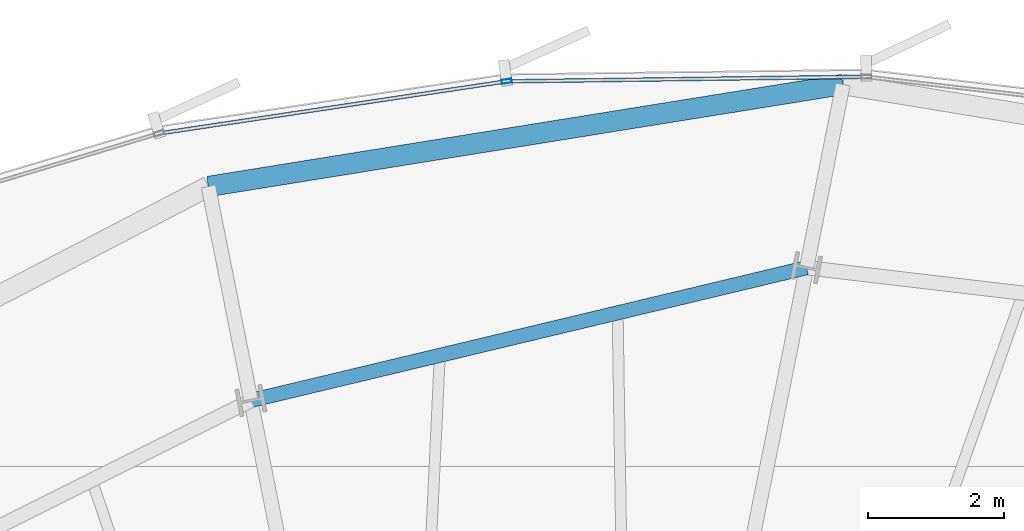
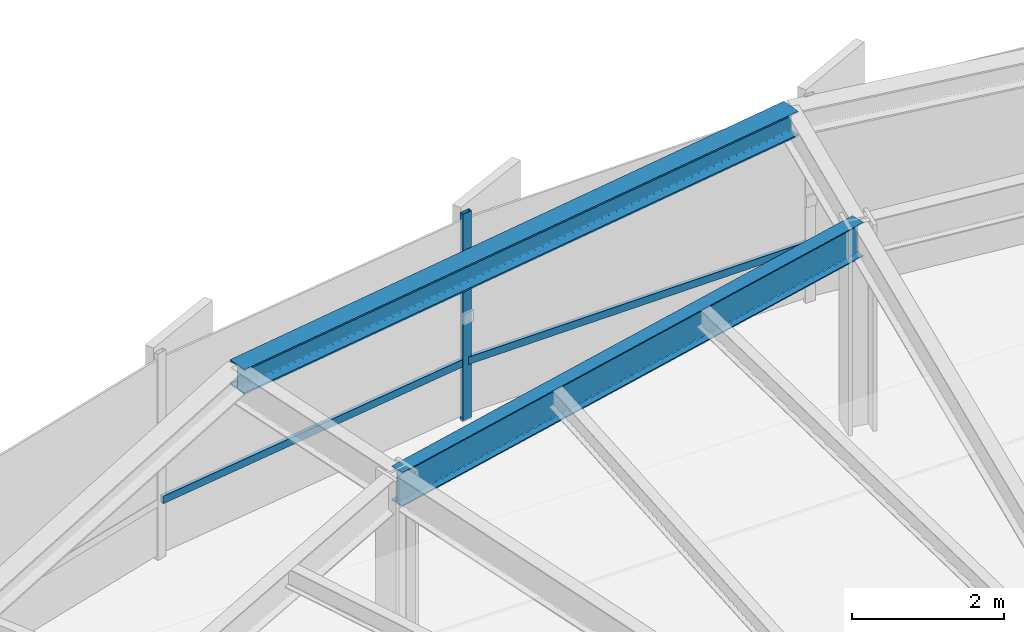
# One storey, part 21 of 35: 3 members, 2 beams, 1 element without a shape of its own.
"""IFC4 building model written with IfcOpenShell, lengths in metres."""

from ifc_helpers import new_model, si_unit, direction, frame, origin, origin_2d, place, context, subcontext, project, spatial, hollow_rectangle, i_section, extrude, source, transform, mapped, material, layer, layer_set, material_profile, profile_set, type_object, element, aggregate, save


model = new_model("IFC4")

# Units and contexts
model_context = context("Model", 3, precision=1e-05, world=origin(), true_north=direction((0.0, 1.0)))
body_context = subcontext(model_context, "Body", "Model", "MODEL_VIEW")
ifc_project = project(units=[si_unit("LENGTHUNIT", "METRE"), si_unit("AREAUNIT", "SQUARE_METRE"), si_unit("VOLUMEUNIT", "CUBIC_METRE"), si_unit("PLANEANGLEUNIT", "RADIAN"), si_unit("MASSUNIT", "GRAM", prefix="KILO"), si_unit("THERMODYNAMICTEMPERATUREUNIT", "KELVIN")], contexts=[model_context])

# Site, building, storey
site_placement = place(None, origin())
site = spatial("IfcSite", under=ifc_project, at=site_placement, CompositionType="ELEMENT")
building_placement = place(site_placement, origin())
building = spatial("IfcBuilding", under=site, at=building_placement, Name="Kethvar Cultural Tower", CompositionType="ELEMENT")
storey_placement = place(building_placement, frame((0.0, 0.0, 85.60009765625)))
storey = spatial("IfcBuildingStorey", under=building, at=storey_placement, Name="L20", CompositionType="ELEMENT", Elevation=85.60009765625)

# Beams
ifc_material_1 = material(Name="Steel S355J2", Category="steel")
ifc_material_profile_1 = material_profile(ifc_material_1, i_section(OverallWidth=0.2099609375, OverallDepth=0.550048828125, WebThickness=0.010986328125, FlangeThickness=0.01708984375, FilletRadius=0.02392578125, at=origin_2d()), Name="Steel S355J2 — IPE550")
ifc_profile_set_1 = profile_set([ifc_material_profile_1], Name="Steel S355J2 — IPE550")
beam_type_1 = type_object("IfcBeamType", Name="BM-IPE550", PredefinedType="BEAM", material=ifc_profile_set_1)
shared_shape_1 = source(origin(), body_context, "Body", "SweptSolid", [
    extrude(i_section(OverallWidth=0.2099609375, OverallDepth=0.550048828125, WebThickness=0.010986328125, FlangeThickness=0.01708984375, FilletRadius=0.02392578125, at=origin_2d()), origin(), (0.0, 0.0, 1.0), 8.379150390625),
])
beam_1_placement = place(storey_placement, frame((51.068603515625, 49.25927734375, 3.072998046875), z_axis=(-0.972601380857, -0.232479147355, 0.0), x_axis=(0.232479147355, -0.972601380857, 0.0)))
element("IfcBeam", 1, at=beam_1_placement, inside=storey, type_object=beam_type_1, Name="L20 Column Ring Tie Beam CR-04", PredefinedType="BEAM", context=body_context, shape_type="MappedRepresentation", body=[
    mapped(shared_shape_1, transform((0.0, 0.0, 0.0), scale=1.0)),
])
ifc_material_profile_2 = material_profile(ifc_material_1, i_section(OverallWidth=0.300048828125, OverallDepth=0.39990234375, WebThickness=0.013427734375, FlangeThickness=0.02392578125, FilletRadius=0.027099609375, at=origin_2d()), Name="Steel S355J2 — HEB400")
ifc_profile_set_2 = profile_set([ifc_material_profile_2], Name="Steel S355J2 — HEB400")
beam_type_2 = type_object("IfcBeamType", Name="BM-SP400", PredefinedType="SPANDREL", material=ifc_profile_set_2)
shared_shape_2 = source(origin(), body_context, "Body", "SweptSolid", [
    extrude(i_section(OverallWidth=0.300048828125, OverallDepth=0.39990234375, WebThickness=0.013427734375, FlangeThickness=0.02392578125, FilletRadius=0.027099609375, at=origin_2d()), origin(), (0.0, 0.0, 1.0), 9.427490234375),
])
beam_2_placement = place(storey_placement, frame((51.602783203125, 51.94580078125, 3.14794921875), z_axis=(-0.987327907896, -0.158693422326, 0.0), x_axis=(0.158693422326, -0.987327907896, 0.0)))
element("IfcBeam", 2, at=beam_2_placement, inside=storey, type_object=beam_type_2, Name="L20 Perimeter Spandrel Beam SP-04", PredefinedType="SPANDREL", context=body_context, shape_type="MappedRepresentation", body=[
    mapped(shared_shape_2, transform((0.0, 0.0, 0.0), scale=1.0)),
])

# Curtain wall, members
ifc_material_2 = material(Name="Aluminium 6063-T6", Category="aluminium")
ifc_layer = layer(ifc_material_2, 0.179931640625, Name="Aluminium 6063-T6", Category="aluminium")
ifc_layer_set = layer_set([ifc_layer], Name="Aluminium 6063-T6 (180 mm)")
curtain_wall_type = type_object("IfcCurtainWallType", Name="CW-SYS-03-Z2", PredefinedType="NOTDEFINED", material=ifc_layer_set)
curtain_wall_placement = place(storey_placement, origin())
curtain_wall = element("IfcCurtainWall", 3, at=curtain_wall_placement, inside=storey, type_object=curtain_wall_type, Name="L20 Curtain Wall Run 02", PredefinedType="NOTDEFINED")
ifc_material_profile_3 = material_profile(ifc_material_2, hollow_rectangle(XDim=0.06005859375, YDim=0.14990234375, WallThickness=0.0048828125, at=origin_2d()), Name="Aluminium 6063-T6 — RHS150x60x5")
ifc_profile_set_3 = profile_set([ifc_material_profile_3], Name="Aluminium 6063-T6 — RHS150x60x5")
member_type_1 = type_object("IfcMemberType", Name="CW-SYS-03-Z2-MUL", PredefinedType="MULLION", material=ifc_profile_set_3)
shared_shape_3 = source(origin(), body_context, "Body", "SweptSolid", [
    extrude(hollow_rectangle(XDim=0.06005859375, YDim=0.14990234375, WallThickness=0.0048828125, at=origin_2d()), origin(), (0.0, 0.0, 1.0), 3.349853515625),
])
member_1_placement = place(storey_placement, frame((46.670654296875, 51.992919921875, 0.0), z_axis=(0.0, 0.0, 1.0), x_axis=(0.148465318734, -0.988917614937, 0.0)))
member_1 = element("IfcMember", 4, at=member_1_placement, type_object=member_type_1, Name="CW-L20-R02 Mullion 3", PredefinedType="MULLION", context=body_context, shape_type="MappedRepresentation", body=[
    mapped(shared_shape_3, transform((0.0, 0.0, 0.0), scale=1.0)),
])
ifc_material_profile_4 = material_profile(ifc_material_2, hollow_rectangle(XDim=0.054931640625, YDim=0.1201171875, WallThickness=0.00390625, at=origin_2d()), Name="Aluminium 6063-T6 — RHS120x55x4")
ifc_profile_set_4 = profile_set([ifc_material_profile_4], Name="Aluminium 6063-T6 — RHS120x55x4")
member_type_2 = type_object("IfcMemberType", Name="CW-SYS-03-Z2-TRN", PredefinedType="USERDEFINED", material=ifc_profile_set_4)
shared_shape_4 = source(origin(), body_context, "Body", "SweptSolid", [
    extrude(hollow_rectangle(XDim=0.054931640625, YDim=0.1201171875, WallThickness=0.00390625, at=origin_2d()), origin(), (0.0, 0.0, 1.0), 5.2041015625),
])
member_2_placement = place(storey_placement, frame((51.90185546875, 52.05859375, 0.949951171875), z_axis=(-0.999918581172, -0.012760526137, 0.0), x_axis=(0.012760526137, -0.999918581172, 0.0)))
member_2 = element("IfcMember", 5, at=member_2_placement, type_object=member_type_2, Name="CW-L20-R02 Transom 2", ObjectType="TRANSOM", PredefinedType="USERDEFINED", context=body_context, shape_type="MappedRepresentation", body=[
    mapped(shared_shape_4, transform((0.0, 0.0, 0.0), scale=1.0)),
])
shared_shape_5 = source(origin(), body_context, "Body", "SweptSolid", [
    extrude(hollow_rectangle(XDim=0.054931640625, YDim=0.1201171875, WallThickness=0.00390625, at=origin_2d()), origin(), (0.0, 0.0, 1.0), 5.0859375),
])
member_3_placement = place(storey_placement, frame((46.6279296875, 51.986572265625, 0.949951171875), z_axis=(-0.988916273972, -0.148474250541, 0.0), x_axis=(0.148474250541, -0.988916273972, 0.0)))
member_3 = element("IfcMember", 6, at=member_3_placement, type_object=member_type_2, Name="CW-L20-R02 Transom 3", ObjectType="TRANSOM", PredefinedType="USERDEFINED", context=body_context, shape_type="MappedRepresentation", body=[
    mapped(shared_shape_5, transform((0.0, 0.0, 0.0), scale=1.0)),
])
aggregate(curtain_wall, [member_1, member_2, member_3])

save(model, "model.ifc")
